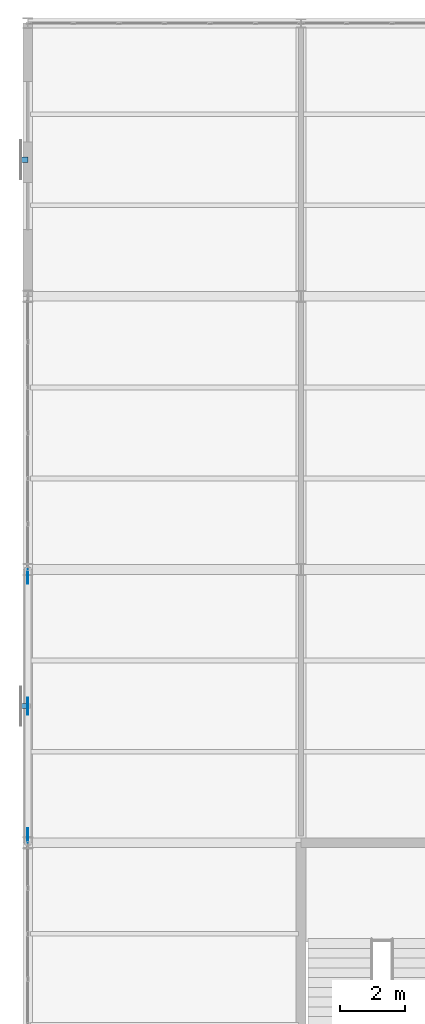
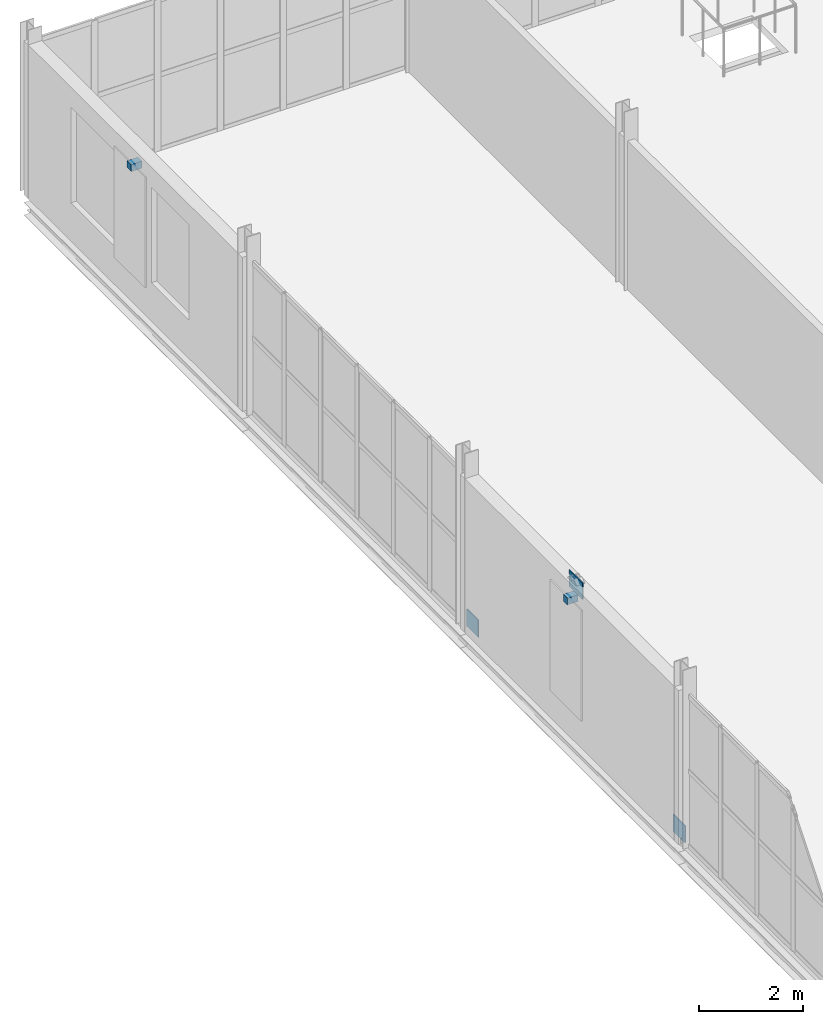
# One storey, part 145 of 163: 5 discrete accessories.
"""IFC4 building model written with IfcOpenShell, lengths in metres."""

from ifc_helpers import new_model, si_unit, direction, frame, origin, origin_2d, place, context, subcontext, project, spatial, rectangle, extrude, material, type_object, element, save


model = new_model("IFC4")

# Units and contexts
model_context = context("Model", 3, precision=1e-05, world=origin(), true_north=direction((0.0, 1.0)))
body_context = subcontext(model_context, "Body", "Model", "MODEL_VIEW")
ifc_project = project(units=[si_unit("LENGTHUNIT", "METRE"), si_unit("AREAUNIT", "SQUARE_METRE"), si_unit("VOLUMEUNIT", "CUBIC_METRE"), si_unit("PLANEANGLEUNIT", "RADIAN"), si_unit("MASSUNIT", "GRAM", prefix="KILO")], contexts=[model_context])

# Site, building, storey
site_placement = place(None, origin())
site = spatial("IfcSite", under=ifc_project, at=site_placement, CompositionType="ELEMENT")
building_placement = place(site_placement, origin())
building = spatial("IfcBuilding", under=site, at=building_placement, Name="Qalvenar Corner Mobility Hub", CompositionType="ELEMENT")
storey_placement = place(building_placement, frame((0.0, 0.0, 4.800048828125)))
storey = spatial("IfcBuildingStorey", under=building, at=storey_placement, Name="L01", CompositionType="ELEMENT", Elevation=4.800048828125)

# Discrete accessories
ifc_material = material(Name="Steel S355", Category="steel")
discrete_accessory_type_1 = type_object("IfcDiscreteAccessoryType", Name="ACC-GUSSET-PLT", PredefinedType="BRACKET", material=ifc_material)
discrete_accessory_placement = place(storey_placement, frame((0.0, 71.39990234375, 3.330078125), z_axis=(0.0, 0.0, 1.0), x_axis=(0.0, 1.0, 0.0)))
element("IfcDiscreteAccessory", 1, at=discrete_accessory_placement, inside=storey, type_object=discrete_accessory_type_1, Name="Chevron Apex Gusset Plate GP-A-073", PredefinedType="BRACKET", context=body_context, shape_type="SweptSolid", body=[
    extrude(rectangle(XDim=0.52001953125, YDim=0.02490234375, at=origin_2d()), origin(), (0.0, 0.0, 1.0), 0.3798828125),
])
for number, where, z_axis, x_axis, name in (
    (2, (0.0, 67.419921875, 0.0), (0.0, 0.0, 1.0), (0.0, 1.0, 0.0), "Brace Base Gusset Plate GP-B-074"),
    (3, (0.0, 75.3798828125, 0.0), (0.0, 0.0, 1.0), (0.0, 1.0, 0.0), "Brace Base Gusset Plate GP-B-075"),
):
    element("IfcDiscreteAccessory", number, at=place(storey_placement, frame(where, z_axis=z_axis, x_axis=x_axis)), inside=storey, type_object=discrete_accessory_type_1, Name=name, PredefinedType="BRACKET", context=body_context, shape_type="SweptSolid", body=[
        extrude(rectangle(XDim=0.449951171875, YDim=0.02490234375, at=origin_2d()), origin(), (0.0, 0.0, 1.0), 0.39990234375),
    ])
discrete_accessory_type_2 = type_object("IfcDiscreteAccessoryType", Name="ACC-HINGE-BRK", PredefinedType="BRACKET", material=ifc_material)
for number, where, z_axis, x_axis, name in (
    (4, (-0.1201171875, 71.39990234375, 3.169921875), (0.0, 0.0, 1.0), (0.0, 1.0, 0.0), "Cycle Screen Bracket BKV5-L01-3"),
    (5, (-0.1201171875, 88.199951171875, 3.169921875), (0.0, 0.0, 1.0), (0.0, 1.0, 0.0), "Cycle Screen Bracket BKV5-L01-5"),
):
    element("IfcDiscreteAccessory", number, at=place(storey_placement, frame(where, z_axis=z_axis, x_axis=x_axis)), inside=storey, type_object=discrete_accessory_type_2, Name=name, PredefinedType="BRACKET", context=body_context, shape_type="SweptSolid", body=[
        extrude(rectangle(XDim=0.159912109375, YDim=0.239990234375, at=origin_2d()), origin(), (0.0, 0.0, 1.0), 0.159912109375),
    ])

save(model, "model.ifc")
